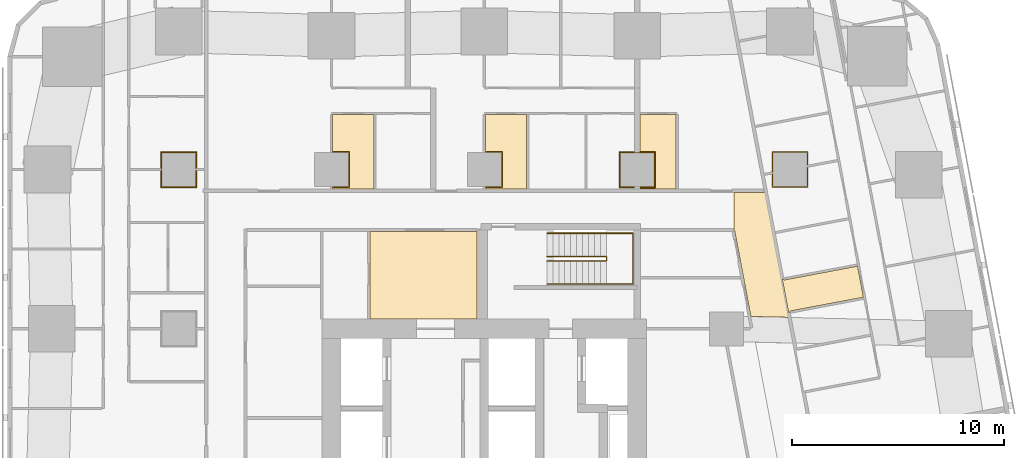
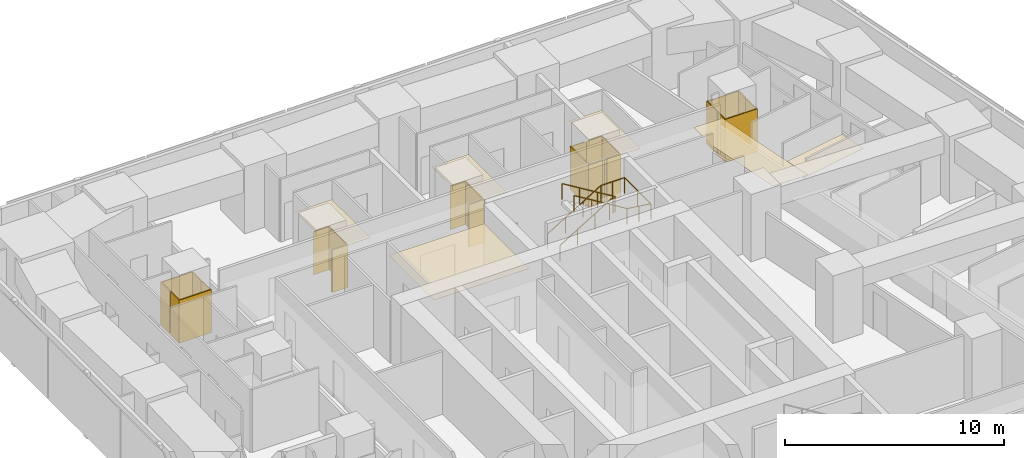
# One storey, part 17 of 17: 14 coverings, 2 railings.
"""IFC4 building model written with IfcOpenShell, lengths in metres."""

import ifcopenshell
import ifcopenshell.guid

model = None  # the IFC model being written
_history = None  # IfcOwnerHistory: only IFC2X3 demands one
_inside = {}  # id of a spatial element -> (the spatial element, [elements in it])
_under = {}  # id of a project, library or spatial element -> (it, [spatial elements below it])
_declared = {}  # id of a project -> (the project, [libraries it declares])
_typed = {}  # id of a type object -> (the type object, [elements of that type])
_made_of = {}  # id of a material, layer set ... -> (it, [elements and type objects made of it])


def new_model(schema):
    """Start an empty IFC model of exactly this schema.

    Asked for "IFC4X3", IfcOpenShell would pick the latest addendum, in which some entities
    have other attributes; the version numbers below select the first issue.
    IFC2X3 requires an IfcOwnerHistory on every rooted entity: one is made here for all.
    """
    global model, _history
    if schema == "IFC4X3":
        model = ifcopenshell.file(schema_version=(4, 3, 0, 0))
    else:
        model = ifcopenshell.file(schema=schema)
    _inside.clear()
    _under.clear()
    _declared.clear()
    _typed.clear()
    _made_of.clear()
    _history = None
    if model.schema == "IFC2X3":
        org = make("IfcOrganization", Name="unknown")
        user = make(
            "IfcPersonAndOrganization",
            ThePerson=make("IfcPerson", FamilyName="unknown"),
            TheOrganization=org,
        )
        app = make(
            "IfcApplication",
            ApplicationDeveloper=org,
            Version="unknown",
            ApplicationFullName="unknown",
            ApplicationIdentifier="unknown",
        )
        _history = make(
            "IfcOwnerHistory",
            OwningUser=user,
            OwningApplication=app,
            ChangeAction="ADDED",
            CreationDate=0,
        )
    return model


def make(cls, **values):
    """One entity of the class cls with the attributes given. An attribute that is None is left unset."""
    return model.create_entity(
        cls, **{name: value for name, value in values.items() if value is not None}
    )


def rooted(cls, **values):
    """An entity with a GlobalId (a new one), such as an element, a storey or a relation."""
    return make(cls, GlobalId=ifcopenshell.guid.new(), OwnerHistory=_history, **values)


def si_unit(unit_type, name, prefix=None):
    """IfcSIUnit, for example si_unit("LENGTHUNIT", "METRE", prefix="MILLI")."""
    return make("IfcSIUnit", UnitType=unit_type, Prefix=prefix, Name=name)


def assignment(units):
    """IfcUnitAssignment: the units of a project."""
    return None if units is None else make("IfcUnitAssignment", Units=units)


def point(xyz):
    """IfcCartesianPoint."""
    return None if xyz is None else make("IfcCartesianPoint", Coordinates=xyz)


def direction(xyz):
    """IfcDirection."""
    return None if xyz is None else make("IfcDirection", DirectionRatios=xyz)


def frame(location, z_axis=None, x_axis=None):
    """IfcAxis2Placement3D, a coordinate frame: its origin and axes. An axis left out is left unset."""
    return make(
        "IfcAxis2Placement3D",
        Location=point(location),
        Axis=direction(z_axis),
        RefDirection=direction(x_axis),
    )


def frame_2d(location, x_axis=None):
    """IfcAxis2Placement2D, a coordinate frame in the plane: its origin and x axis."""
    return make(
        "IfcAxis2Placement2D", Location=point(location), RefDirection=direction(x_axis)
    )


def origin():
    """The frame at (0, 0, 0) with its axes left unset."""
    return frame((0.0, 0.0, 0.0))


def origin_2d():
    """The frame at (0, 0) in the plane with its x axis left unset."""
    return frame_2d((0.0, 0.0))


def place(relative_to, where):
    """IfcLocalPlacement: puts the frame where relative to a parent placement (None: the world)."""
    return make(
        "IfcLocalPlacement", PlacementRelTo=relative_to, RelativePlacement=where
    )


def context(
    kind, dimensions, precision=None, world=None, true_north=None, identifier=None
):
    """IfcGeometricRepresentationContext, for example the 3D "Model" context."""
    return make(
        "IfcGeometricRepresentationContext",
        ContextIdentifier=identifier,
        ContextType=kind,
        CoordinateSpaceDimension=dimensions,
        Precision=precision,
        WorldCoordinateSystem=world,
        TrueNorth=true_north,
    )


def subcontext(parent, identifier, kind, view, scale=None):
    """IfcGeometricRepresentationSubContext, for example "Body" below "Model"."""
    return make(
        "IfcGeometricRepresentationSubContext",
        ContextIdentifier=identifier,
        ContextType=kind,
        ParentContext=parent,
        TargetScale=scale,
        TargetView=view,
    )


def project(units=None, contexts=None):
    """IfcProject with its units and contexts."""
    return rooted(
        "IfcProject",
        Name="project",
        RepresentationContexts=contexts,
        UnitsInContext=assignment(units),
    )


def spatial(cls, under=None, at=None, **own):
    """A site, building, storey or space (cls), placed at a placement, below another one or the project."""
    s = rooted(cls, ObjectPlacement=at, **own)
    if under is not None:
        _under.setdefault(under.id(), (under, []))[1].append(s)
    return s


def polyline(points):
    """IfcPolyline through the points."""
    return make("IfcPolyline", Points=[point(p) for p in points])


def profile(cls, at=None, kind="AREA", **sizes):
    """A parametric profile (cls). Its sizes go by their IFC names, for example OverallWidth=200.0."""
    return make(cls, ProfileType=kind, Position=at, **sizes)


def circle(**sizes):
    """IfcCircleProfileDef."""
    return profile("IfcCircleProfileDef", **sizes)


def outline(outer, holes=None, kind="AREA"):
    """IfcArbitraryClosedProfileDef: a profile drawn as a closed curve; with holes, ...WithVoids."""
    if holes is None:
        return make("IfcArbitraryClosedProfileDef", ProfileType=kind, OuterCurve=outer)
    return make(
        "IfcArbitraryProfileDefWithVoids",
        ProfileType=kind,
        OuterCurve=outer,
        InnerCurves=holes,
    )


def extrude(swept, where, along, depth):
    """IfcExtrudedAreaSolid: the profile swept, set in the frame where, extruded along a direction by depth."""
    return make(
        "IfcExtrudedAreaSolid",
        SweptArea=swept,
        Position=where,
        ExtrudedDirection=direction(along),
        Depth=depth,
    )


def shape(context_of_items, identifier, shape_type, items):
    """IfcShapeRepresentation: the items that make up one representation, for example the "Body"."""
    return make(
        "IfcShapeRepresentation",
        ContextOfItems=context_of_items,
        RepresentationIdentifier=identifier,
        RepresentationType=shape_type,
        Items=items,
    )


def material(Name=None, Category=None):
    """IfcMaterial."""
    return make("IfcMaterial", Name=Name, Category=Category)


def layer(
    of_material, thickness, ventilated=None, Name=None, Category=None, Priority=None
):
    """IfcMaterialLayer: one layer of a wall or slab, of a material (None: an air gap)."""
    return make(
        "IfcMaterialLayer",
        Material=of_material,
        LayerThickness=thickness,
        IsVentilated=ventilated,
        Name=Name,
        Category=Category,
        Priority=Priority,
    )


def layer_set(layers, Name=None):
    """IfcMaterialLayerSet."""
    return make("IfcMaterialLayerSet", MaterialLayers=layers, LayerSetName=Name)


def made_of(thing, what):
    """Note that an element or type object is made of a material, layer set ...; save() writes the relation."""
    if what is not None:
        _made_of.setdefault(what.id(), (what, []))[1].append(thing)
    return thing


def type_object(cls, material=None, **own):
    """A type object (cls), such as IfcWallType, which elements share."""
    return made_of(rooted(cls, **own), material)


def element(
    cls,
    number,
    at=None,
    inside=None,
    cuts=None,
    type_object=None,
    material=None,
    context=None,
    identifier="Body",
    shape_type=None,
    held_by="IfcProductDefinitionShape",
    body=None,
    shapes=None,
    **own,
):
    """One element of the class cls, such as IfcWall. Its Tag is "e" and its number.

    at: its placement. inside: the storey or other place that contains it. cuts: it is an
    opening in that element (IfcRelVoidsElement). A single representation is given by context,
    identifier, shape_type and body (its items); several are given by shapes. held_by: the class
    of the entity that holds the representations. save() writes the other relations.
    """
    e = rooted(cls, Tag="e%d" % number, ObjectPlacement=at, **own)
    if body is not None:
        shapes = [shape(context, identifier, shape_type, body)]
    if shapes is not None:
        e.Representation = make(held_by, Representations=shapes)
    if inside is not None:
        _inside.setdefault(inside.id(), (inside, []))[1].append(e)
    if cuts is not None:
        rooted(
            "IfcRelVoidsElement", RelatingBuildingElement=cuts, RelatedOpeningElement=e
        )
    if type_object is not None:
        _typed.setdefault(type_object.id(), (type_object, []))[1].append(e)
    return made_of(e, material)


def aggregate(whole, parts):
    """IfcRelAggregates: a whole, such as a stair, and the parts it consists of."""
    return rooted("IfcRelAggregates", RelatingObject=whole, RelatedObjects=parts)


def save(model, path):
    """Write the relations noted so far, then the file.

    IfcRelAggregates (storeys below a building ...), IfcRelContainedInSpatialStructure (elements
    in a storey), IfcRelDefinesByType, IfcRelAssociatesMaterial and IfcRelDeclares: one each for
    every whole, place, type object, material and project.
    """
    for whole, parts in _under.values():
        aggregate(whole, parts)
    for where, things in _inside.values():
        rooted(
            "IfcRelContainedInSpatialStructure",
            RelatedElements=things,
            RelatingStructure=where,
        )
    for kind, things in _typed.values():
        rooted("IfcRelDefinesByType", RelatedObjects=things, RelatingType=kind)
    for what, things in _made_of.values():
        rooted("IfcRelAssociatesMaterial", RelatedObjects=things, RelatingMaterial=what)
    for by, libraries in _declared.values():
        rooted("IfcRelDeclares", RelatingContext=by, RelatedDefinitions=libraries)
    model.write(path)


model = new_model("IFC4")

# Units and contexts
model_context = context("Model", 3, precision=1e-05, world=origin(), true_north=direction((0.0, 1.0)))
body_context = subcontext(model_context, "Body", "Model", "MODEL_VIEW")
ifc_project = project(units=[si_unit("LENGTHUNIT", "METRE"), si_unit("AREAUNIT", "SQUARE_METRE"), si_unit("VOLUMEUNIT", "CUBIC_METRE"), si_unit("PLANEANGLEUNIT", "RADIAN"), si_unit("MASSUNIT", "GRAM", prefix="KILO")], contexts=[model_context])

# Site, building, storey
site_placement = place(None, origin())
site = spatial("IfcSite", under=ifc_project, at=site_placement, CompositionType="ELEMENT")
building_placement = place(site_placement, origin())
building = spatial("IfcBuilding", under=site, at=building_placement, Name="Sheger Commons Tower", CompositionType="ELEMENT")
storey_placement = place(building_placement, frame((0.0, 0.0, 115.39990234375)))
storey = spatial("IfcBuildingStorey", under=building, at=storey_placement, Name="L29", CompositionType="ELEMENT", Elevation=115.39990234375)

# Railings
ifc_material_1 = material(Name="Steel handrail, black powder-coated", Category="steel")
railing_type = type_object("IfcRailingType", Name="HANDRAIL 900", PredefinedType="HANDRAIL", material=ifc_material_1)
railing_1_placement = place(storey_placement, frame((24.550048828125, 33.39990234375, 0.170654296875)))
element("IfcRailing", 1, at=railing_1_placement, inside=storey, type_object=railing_type, Name="Stair S2 handrail L29", PredefinedType="HANDRAIL", context=body_context, shape_type="SweptSolid", body=[
    extrude(circle(Radius=0.02392578125, at=origin_2d()), frame((0.0, 0.0, 0.8759765625), z_axis=(0.854202870247, 0.0, 0.519939858505), x_axis=(0.0, 1.0, 0.0)), (0.0, 0.0, 1.0), 3.278076171875),
    extrude(circle(Radius=0.02392578125, at=origin_2d()), frame((2.800048828125, 0.0, 2.580078125), z_axis=(0.0, -0.760631612298, 0.649183757016), x_axis=(1.0, 0.0, 0.0)), (0.0, 0.0, 1.0), 0.262939453125),
    extrude(circle(Radius=0.02392578125, at=origin_2d()), frame((2.800048828125, -0.199951171875, 2.7509765625), z_axis=(-0.854202870247, 0.0, 0.519939858505), x_axis=(0.0, -1.0, 0.0)), (0.0, 0.0, 1.0), 3.278076171875),
    extrude(circle(Radius=0.02099609375, at=origin_2d()), origin(), (0.0, 0.0, 1.0), 0.851806640625),
    extrude(circle(Radius=0.02099609375, at=origin_2d()), frame((0.933349609375, 0.0, 0.568115234375)), (0.0, 0.0, 1.0), 0.851806640625),
    extrude(circle(Radius=0.02099609375, at=origin_2d()), frame((1.86669921875, 0.0, 1.13623046875)), (0.0, 0.0, 1.0), 0.851806640625),
    extrude(circle(Radius=0.02099609375, at=origin_2d()), frame((2.800048828125, 0.0, 1.704345703125)), (0.0, 0.0, 1.0), 0.851806640625),
    extrude(circle(Radius=0.02099609375, at=origin_2d()), frame((2.800048828125, -0.199951171875, 1.875)), (0.0, 0.0, 1.0), 0.851806640625),
    extrude(circle(Radius=0.02099609375, at=origin_2d()), frame((1.86669921875, -0.199951171875, 2.443115234375)), (0.0, 0.0, 1.0), 0.851806640625),
    extrude(circle(Radius=0.02099609375, at=origin_2d()), frame((0.933349609375, -0.199951171875, 3.01123046875)), (0.0, 0.0, 1.0), 0.851806640625),
    extrude(circle(Radius=0.02099609375, at=origin_2d()), frame((0.0, -0.199951171875, 3.579345703125)), (0.0, 0.0, 1.0), 0.851806640625),
])
railing_2_placement = place(storey_placement, frame((24.550048828125, 34.5, 0.170654296875)))
element("IfcRailing", 2, at=railing_2_placement, inside=storey, type_object=railing_type, Name="Stair S2 handrail L29", PredefinedType="HANDRAIL", context=body_context, shape_type="SweptSolid", body=[
    extrude(circle(Radius=0.02392578125, at=origin_2d()), frame((0.0, 0.0, 0.8759765625), z_axis=(0.854202870247, 0.0, 0.519939858505), x_axis=(0.0, 1.0, 0.0)), (0.0, 0.0, 1.0), 3.278076171875),
    extrude(circle(Radius=0.02392578125, at=origin_2d()), frame((2.800048828125, 0.0, 2.580078125), z_axis=(1.0, 0.0, 0.0), x_axis=(0.0, 1.0, 0.0)), (0.0, 0.0, 1.0), 1.25),
    extrude(circle(Radius=0.02392578125, at=origin_2d()), frame((4.050048828125, 0.0, 2.580078125), z_axis=(0.0, -1.0, 0.0), x_axis=(1.0, 0.0, 0.0)), (0.0, 0.0, 1.0), 2.39990234375),
    extrude(circle(Radius=0.02392578125, at=origin_2d()), frame((4.050048828125, -2.39990234375, 2.580078125), z_axis=(-0.990808959222, 0.0, 0.135268645019), x_axis=(0.0, -1.0, 0.0)), (0.0, 0.0, 1.0), 1.261474609375),
    extrude(circle(Radius=0.02392578125, at=origin_2d()), frame((2.800048828125, -2.39990234375, 2.7509765625), z_axis=(-0.854202870247, 0.0, 0.519939858505), x_axis=(0.0, -1.0, 0.0)), (0.0, 0.0, 1.0), 3.278076171875),
    extrude(circle(Radius=0.02099609375, at=origin_2d()), origin(), (0.0, 0.0, 1.0), 0.851806640625),
    extrude(circle(Radius=0.02099609375, at=origin_2d()), frame((0.933349609375, 0.0, 0.568115234375)), (0.0, 0.0, 1.0), 0.851806640625),
    extrude(circle(Radius=0.02099609375, at=origin_2d()), frame((1.86669921875, 0.0, 1.13623046875)), (0.0, 0.0, 1.0), 0.851806640625),
    extrude(circle(Radius=0.02099609375, at=origin_2d()), frame((2.800048828125, 0.0, 1.704345703125)), (0.0, 0.0, 1.0), 0.851806640625),
    extrude(circle(Radius=0.02099609375, at=origin_2d()), frame((3.425048828125, 0.0, 1.704345703125)), (0.0, 0.0, 1.0), 0.851806640625),
    extrude(circle(Radius=0.02099609375, at=origin_2d()), frame((4.050048828125, 0.0, 1.704345703125)), (0.0, 0.0, 1.0), 0.851806640625),
    extrude(circle(Radius=0.02099609375, at=origin_2d()), frame((4.050048828125, -1.199951171875, 1.704345703125)), (0.0, 0.0, 1.0), 0.851806640625),
    extrude(circle(Radius=0.02099609375, at=origin_2d()), frame((4.050048828125, -2.39990234375, 1.704345703125)), (0.0, 0.0, 1.0), 0.851806640625),
    extrude(circle(Radius=0.02099609375, at=origin_2d()), frame((3.425048828125, -2.39990234375, 1.78955078125)), (0.0, 0.0, 1.0), 0.851806640625),
    extrude(circle(Radius=0.02099609375, at=origin_2d()), frame((2.800048828125, -2.39990234375, 1.875)), (0.0, 0.0, 1.0), 0.851806640625),
    extrude(circle(Radius=0.02099609375, at=origin_2d()), frame((1.86669921875, -2.39990234375, 2.443115234375)), (0.0, 0.0, 1.0), 0.851806640625),
    extrude(circle(Radius=0.02099609375, at=origin_2d()), frame((0.933349609375, -2.39990234375, 3.01123046875)), (0.0, 0.0, 1.0), 0.851806640625),
    extrude(circle(Radius=0.02099609375, at=origin_2d()), frame((0.0, -2.39990234375, 3.579345703125)), (0.0, 0.0, 1.0), 0.851806640625),
])

# Coverings
ifc_material_2 = material(Name="Moisture-resistant gypsum plasterboard 15 mm on a suspended galvanised steel grid", Category="steel")
ifc_layer_1 = layer(ifc_material_2, 0.014892578125)
ifc_layer_set_1 = layer_set([ifc_layer_1], Name="MOISTURE-RESISTANT CEILING 15")
covering_type_1 = type_object("IfcCoveringType", Name="MOISTURE-RESISTANT CEILING 15", PredefinedType="CEILING", material=ifc_layer_set_1)
covering_1_placement = place(storey_placement, frame((0.0, 0.0, 2.400146484375)))
element("IfcCovering", 3, at=covering_1_placement, inside=storey, type_object=covering_type_1, Name="L29-07.B2 ceiling", PredefinedType="CEILING", context=body_context, shape_type="SweptSolid", body=[
    extrude(outline(polyline([(35.93798828125, 30.76611328125), (36.007080078125, 30.779052734375), (35.9970703125, 30.8330078125), (39.4609375, 31.487060546875), (39.18408203125, 32.950927734375), (35.719970703125, 32.297119140625), (35.7099609375, 32.35107421875), (35.64111328125, 32.337890625), (35.93798828125, 30.76611328125)])), origin(), (0.0, 0.0, 1.0), 0.014892578125),
])
covering_2_placement = place(storey_placement, frame((0.0, 0.0, 2.400146484375)))
element("IfcCovering", 4, at=covering_2_placement, inside=storey, type_object=covering_type_1, Name="L29-10.B1 ceiling", PredefinedType="CEILING", context=body_context, shape_type="SweptSolid", body=[
    extrude(outline(polyline([(14.455078125, 36.580078125), (16.39501953125, 36.580078125), (16.39501953125, 40.094970703125), (14.455078125, 40.094970703125), (14.455078125, 38.304931640625), (15.205078125, 38.304931640625), (15.205078125, 36.695068359375), (14.455078125, 36.695068359375), (14.455078125, 36.580078125)])), origin(), (0.0, 0.0, 1.0), 0.014892578125),
])
covering_3_placement = place(storey_placement, frame((0.0, 0.0, 2.400146484375)))
element("IfcCovering", 5, at=covering_3_placement, inside=storey, type_object=covering_type_1, Name="L29-11.B1 ceiling", PredefinedType="CEILING", context=body_context, shape_type="SweptSolid", body=[
    extrude(outline(polyline([(21.655029296875, 36.580078125), (23.594970703125, 36.580078125), (23.594970703125, 40.094970703125), (21.655029296875, 40.094970703125), (21.655029296875, 38.304931640625), (22.405029296875, 38.304931640625), (22.405029296875, 36.695068359375), (21.655029296875, 36.695068359375), (21.655029296875, 36.580078125)])), origin(), (0.0, 0.0, 1.0), 0.014892578125),
])
covering_4_placement = place(storey_placement, frame((0.0, 0.0, 2.400146484375)))
element("IfcCovering", 6, at=covering_4_placement, inside=storey, type_object=covering_type_1, Name="L29-12.B1 ceiling", PredefinedType="CEILING", context=body_context, shape_type="SweptSolid", body=[
    extrude(outline(polyline([(28.929931640625, 36.580078125), (30.635009765625, 36.580078125), (30.635009765625, 40.094970703125), (28.929931640625, 40.094970703125), (28.929931640625, 38.304931640625), (29.60498046875, 38.304931640625), (29.60498046875, 36.695068359375), (28.929931640625, 36.695068359375), (28.929931640625, 36.580078125)])), origin(), (0.0, 0.0, 1.0), 0.014892578125),
])
ifc_material_3 = material(Name="Gypsum plasterboard 15 mm on a suspended steel grid", Category="steel")
ifc_layer_2 = layer(ifc_material_3, 0.014892578125)
ifc_layer_set_2 = layer_set([ifc_layer_2], Name="SUSPENDED CEILING 15")
covering_type_2 = type_object("IfcCoveringType", Name="SUSPENDED CEILING 15", PredefinedType="CEILING", material=ifc_layer_set_2)
covering_5_placement = place(storey_placement, frame((0.0, 0.0, 2.7001953125)))
element("IfcCovering", 7, at=covering_5_placement, inside=storey, type_object=covering_type_2, Name="L29-CO ceiling", PredefinedType="CEILING", context=body_context, shape_type="SweptSolid", body=[
    extrude(outline(polyline([(35.98095703125, 30.5380859375), (34.85498046875, 36.5), (34.77001953125, 36.5), (34.77001953125, 36.419921875), (33.365966796875, 36.419921875), (33.365966796875, 34.699951171875), (33.365966796875, 34.697998046875), (33.364013671875, 34.697998046875), (33.382080078125, 34.60205078125), (33.39892578125, 34.60498046875), (34.159912109375, 30.5791015625), (35.98095703125, 30.5380859375)])), origin(), (0.0, 0.0, 1.0), 0.014892578125),
])
covering_6_placement = place(storey_placement, frame((0.0, 0.0, 2.7001953125)))
element("IfcCovering", 8, at=covering_6_placement, inside=storey, type_object=covering_type_2, Name="L29-SVN1 ceiling", PredefinedType="CEILING", context=body_context, shape_type="SweptSolid", body=[
    extrude(outline(polyline([(16.217041015625, 30.455078125), (21.2451171875, 30.455078125), (21.2451171875, 34.58203125), (16.217041015625, 34.58203125), (16.217041015625, 30.455078125)])), origin(), (0.0, 0.0, 1.0), 0.014892578125),
])
ifc_material_4 = material(Name="Moisture-resistant gypsum board 12.5 mm on 25 mm treated timber battens, tanked and tiled", Category="wood")
ifc_layer_3 = layer(ifc_material_4, 0.050048828125)
ifc_layer_set_3 = layer_set([ifc_layer_3], Name="WET-ROOM COLUMN LINING")
covering_type_3 = type_object("IfcCoveringType", Name="WET-ROOM COLUMN LINING", PredefinedType="CLADDING", material=ifc_layer_set_3)
covering_7_placement = place(storey_placement, origin())
element("IfcCovering", 9, at=covering_7_placement, inside=storey, type_object=covering_type_3, Name="Store and laundry column lining C9 L29", PredefinedType="CLADDING", context=body_context, shape_type="SweptSolid", body=[
    extrude(outline(polyline([(6.39990234375, 37.5), (6.39990234375, 36.699951171875), (8.0, 36.699951171875), (8.0, 37.5), (8.0009765625, 37.5), (8.0009765625, 37.449951171875), (8.050048828125, 37.449951171875), (8.050048828125, 36.64990234375), (6.35009765625, 36.64990234375), (6.35009765625, 37.449951171875), (6.39892578125, 37.449951171875), (6.39892578125, 37.5), (6.39990234375, 37.5)])), origin(), (0.0, 0.0, 1.0), 2.400146484375),
])
covering_8_placement = place(storey_placement, origin())
element("IfcCovering", 10, at=covering_8_placement, inside=storey, type_object=covering_type_3, Name="Store and laundry column lining C9 L29", PredefinedType="CLADDING", context=body_context, shape_type="SweptSolid", body=[
    extrude(outline(polyline([(8.050048828125, 38.35009765625), (8.050048828125, 37.550048828125), (8.0009765625, 37.550048828125), (8.0009765625, 37.5), (8.0, 37.5), (8.0, 38.300048828125), (6.39990234375, 38.300048828125), (6.39990234375, 37.5), (6.39892578125, 37.5), (6.39892578125, 37.550048828125), (6.35009765625, 37.550048828125), (6.35009765625, 38.35009765625), (8.050048828125, 38.35009765625)])), origin(), (0.0, 0.0, 1.0), 2.400146484375),
])
covering_9_placement = place(storey_placement, origin())
element("IfcCovering", 11, at=covering_9_placement, inside=storey, type_object=covering_type_3, Name="Bathroom column lining C9 L29", PredefinedType="CLADDING", context=body_context, shape_type="SweptSolid", body=[
    extrude(outline(polyline([(15.25, 36.64990234375), (14.449951171875, 36.64990234375), (14.449951171875, 36.698974609375), (14.39990234375, 36.698974609375), (14.39990234375, 36.699951171875), (15.199951171875, 36.699951171875), (15.199951171875, 38.300048828125), (14.39990234375, 38.300048828125), (14.39990234375, 38.301025390625), (14.449951171875, 38.301025390625), (14.449951171875, 38.35009765625), (15.25, 38.35009765625), (15.25, 36.64990234375)])), origin(), (0.0, 0.0, 1.0), 2.400146484375),
])
covering_10_placement = place(storey_placement, origin())
element("IfcCovering", 12, at=covering_10_placement, inside=storey, type_object=covering_type_3, Name="Bathroom column lining C9 L29", PredefinedType="CLADDING", context=body_context, shape_type="SweptSolid", body=[
    extrude(outline(polyline([(22.449951171875, 36.64990234375), (21.64990234375, 36.64990234375), (21.64990234375, 36.698974609375), (21.60009765625, 36.698974609375), (21.60009765625, 36.699951171875), (22.39990234375, 36.699951171875), (22.39990234375, 38.300048828125), (21.60009765625, 38.300048828125), (21.60009765625, 38.301025390625), (21.64990234375, 38.301025390625), (21.64990234375, 38.35009765625), (22.449951171875, 38.35009765625), (22.449951171875, 36.64990234375)])), origin(), (0.0, 0.0, 1.0), 2.400146484375),
])
covering_11_placement = place(storey_placement, origin())
element("IfcCovering", 13, at=covering_11_placement, inside=storey, type_object=covering_type_3, Name="Laundry room column lining C9 L29", PredefinedType="CLADDING", context=body_context, shape_type="SweptSolid", body=[
    extrude(outline(polyline([(28.675048828125, 38.35009765625), (28.675048828125, 38.301025390625), (28.800048828125, 38.301025390625), (28.800048828125, 38.300048828125), (28.0, 38.300048828125), (28.0, 36.699951171875), (28.800048828125, 36.699951171875), (28.800048828125, 36.698974609375), (28.675048828125, 36.698974609375), (28.675048828125, 36.64990234375), (27.949951171875, 36.64990234375), (27.949951171875, 38.35009765625), (28.675048828125, 38.35009765625)])), origin(), (0.0, 0.0, 1.0), 2.400146484375),
])
covering_12_placement = place(storey_placement, origin())
element("IfcCovering", 14, at=covering_12_placement, inside=storey, type_object=covering_type_3, Name="Shower room column lining C9 L29", PredefinedType="CLADDING", context=body_context, shape_type="SweptSolid", body=[
    extrude(outline(polyline([(29.64990234375, 36.64990234375), (28.925048828125, 36.64990234375), (28.925048828125, 36.698974609375), (28.800048828125, 36.698974609375), (28.800048828125, 36.699951171875), (29.60009765625, 36.699951171875), (29.60009765625, 38.300048828125), (28.800048828125, 38.300048828125), (28.800048828125, 38.301025390625), (28.925048828125, 38.301025390625), (28.925048828125, 38.35009765625), (29.64990234375, 38.35009765625), (29.64990234375, 36.64990234375)])), origin(), (0.0, 0.0, 1.0), 2.400146484375),
])
covering_13_placement = place(storey_placement, origin())
element("IfcCovering", 15, at=covering_13_placement, inside=storey, type_object=covering_type_3, Name="Store and laundry column lining C9 L29", PredefinedType="CLADDING", context=body_context, shape_type="SweptSolid", body=[
    extrude(outline(polyline([(35.199951171875, 37.34912109375), (35.199951171875, 36.699951171875), (36.800048828125, 36.699951171875), (36.800048828125, 37.652099609375), (36.81005859375, 37.654052734375), (36.819091796875, 37.60400390625), (36.85009765625, 37.610107421875), (36.85009765625, 36.64990234375), (35.14990234375, 36.64990234375), (35.14990234375, 37.2890625), (35.198974609375, 37.298095703125), (35.18994140625, 37.346923828125), (35.199951171875, 37.34912109375)])), origin(), (0.0, 0.0, 1.0), 2.400146484375),
])
covering_14_placement = place(storey_placement, origin())
element("IfcCovering", 16, at=covering_14_placement, inside=storey, type_object=covering_type_3, Name="Store and laundry column lining C9 L29", PredefinedType="CLADDING", context=body_context, shape_type="SweptSolid", body=[
    extrude(outline(polyline([(36.85009765625, 38.35009765625), (36.85009765625, 37.7109375), (36.801025390625, 37.701904296875), (36.81005859375, 37.654052734375), (36.800048828125, 37.652099609375), (36.800048828125, 38.300048828125), (35.199951171875, 38.300048828125), (35.199951171875, 37.34912109375), (35.18994140625, 37.346923828125), (35.180908203125, 37.39599609375), (35.14990234375, 37.389892578125), (35.14990234375, 38.35009765625), (36.85009765625, 38.35009765625)])), origin(), (0.0, 0.0, 1.0), 2.400146484375),
])

save(model, "model.ifc")
